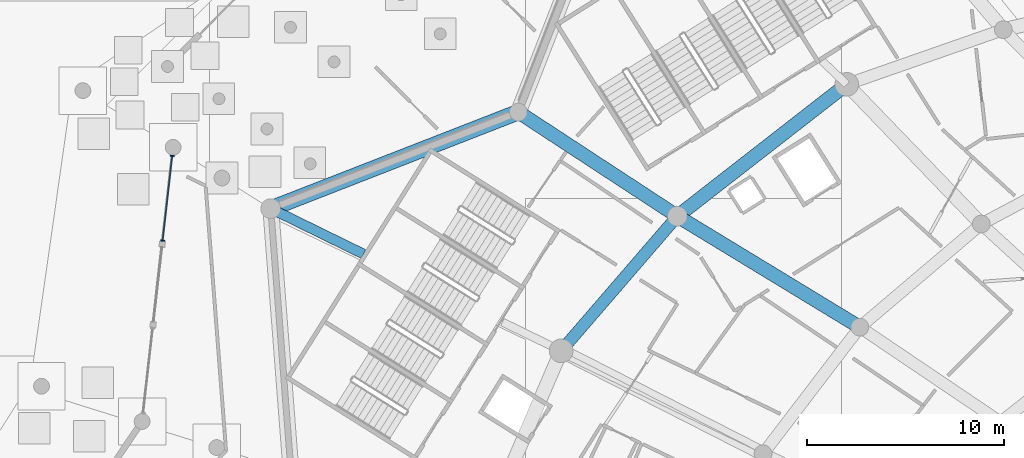
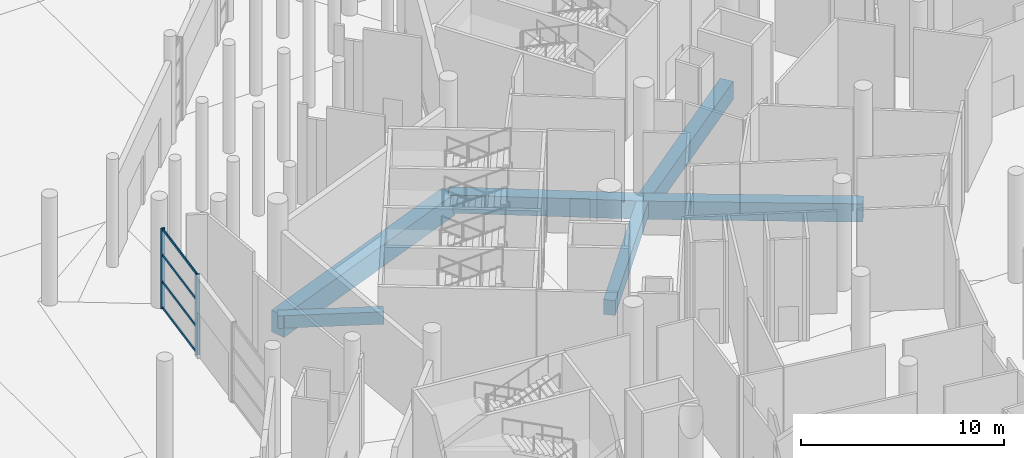
# One storey, part 49 of 255: 6 beams, 6 members, 1 element without a shape of its own.
"""IFC4 building model written with IfcOpenShell, lengths in metres."""

from ifc_helpers import new_model, si_unit, direction, frame, origin, origin_2d, place, context, subcontext, project, spatial, rectangle, extrude, material, layer, layer_set, material_profile, profile_set, type_object, element, aggregate, save


model = new_model("IFC4")

# Units and contexts
model_context = context("Model", 3, precision=1e-05, world=origin(), true_north=direction((0.0, 1.0)))
body_context = subcontext(model_context, "Body", "Model", "MODEL_VIEW")
ifc_project = project(units=[si_unit("LENGTHUNIT", "METRE"), si_unit("AREAUNIT", "SQUARE_METRE"), si_unit("VOLUMEUNIT", "CUBIC_METRE"), si_unit("PLANEANGLEUNIT", "RADIAN"), si_unit("MASSUNIT", "GRAM", prefix="KILO")], contexts=[model_context])

# Site, building, storey
site_placement = place(None, origin())
site = spatial("IfcSite", under=ifc_project, at=site_placement, CompositionType="ELEMENT")
building_placement = place(site_placement, origin())
building = spatial("IfcBuilding", under=site, at=building_placement, Name="Meseta Stadium", CompositionType="ELEMENT")
storey_placement = place(building_placement, origin())
storey = spatial("IfcBuildingStorey", under=building, at=storey_placement, Name="L00", CompositionType="ELEMENT", Elevation=0.0)

# Beams
ifc_material_1 = material(Name="Concrete C40/50", Category="concrete")
ifc_material_profile_1 = material_profile(ifc_material_1, rectangle(XDim=0.5, YDim=0.75, at=origin_2d()), Name="RC 500x750")
ifc_profile_set_1 = profile_set([ifc_material_profile_1], Name="Concrete C40/50")
beam_type_1 = type_object("IfcBeamType", Name="RC beam 500x750", PredefinedType="BEAM", material=ifc_profile_set_1)
beam_1_placement = place(storey_placement, frame((-88.212158203125, 77.175048828125, -0.77490234375), z_axis=(-0.898112763243, 0.439765237939, 0.0), x_axis=(-0.439765237939, -0.898112763243, 0.0)))
element("IfcBeam", 1, at=beam_1_placement, inside=storey, type_object=beam_type_1, Name="L00 radial beam frame 26 line P to R", PredefinedType="BEAM", context=body_context, shape_type="SweptSolid", body=[
    extrude(rectangle(XDim=0.5, YDim=0.75, at=origin_2d()), origin(), (0.0, 0.0, 1.0), 5.22900390625),
])
ifc_material_2 = material(Name="Concrete C40/50", Category="concrete")
ifc_material_profile_2 = material_profile(ifc_material_2, rectangle(XDim=0.60009765625, YDim=0.89990234375, at=origin_2d()), Name="RC 600x900")
ifc_profile_set_2 = profile_set([ifc_material_profile_2], Name="Concrete C40/50")
beam_type_2 = type_object("IfcBeamType", Name="RC beam 600x900", PredefinedType="BEAM", material=ifc_profile_set_2)
beam_2_placement = place(storey_placement, frame((-72.31201171875, 79.091064453125, -0.85009765625), z_axis=(-0.653414508663, -0.757000316954, 0.0), x_axis=(0.757000316954, -0.653414508663, 0.0)))
element("IfcBeam", 2, at=beam_2_placement, inside=storey, type_object=beam_type_2, Name="L00 ring beam frame 25 line P", PredefinedType="BEAM", context=body_context, shape_type="SweptSolid", body=[
    extrude(rectangle(XDim=0.60009765625, YDim=0.89990234375, at=origin_2d()), origin(), (0.0, 0.0, 1.0), 9.008056640625),
])
ifc_material_3 = material(Name="Concrete C40/50", Category="concrete")
ifc_material_profile_3 = material_profile(ifc_material_3, rectangle(XDim=0.699951171875, YDim=1.10009765625, at=origin_2d()), Name="RC 700x1100")
ifc_profile_set_3 = profile_set([ifc_material_profile_3], Name="Concrete C40/50")
beam_type_3 = type_object("IfcBeamType", Name="RC beam 700x1100", PredefinedType="BEAM", material=ifc_profile_set_3)
beam_3_placement = place(storey_placement, frame((-63.731201171875, 85.77099609375, -0.949951171875), z_axis=(-0.789086185012, -0.614282502293, 0.0), x_axis=(0.614282502293, -0.789086185012, 0.0)))
element("IfcBeam", 3, at=beam_3_placement, inside=storey, type_object=beam_type_3, Name="L00 ring beam frame 24 line P", PredefinedType="BEAM", context=body_context, shape_type="SweptSolid", body=[
    extrude(rectangle(XDim=0.699951171875, YDim=1.10009765625, at=origin_2d()), origin(), (0.0, 0.0, 1.0), 10.874267578125),
])
beam_4_placement = place(storey_placement, frame((-63.068115234375, 73.469970703125, -0.949951171875), z_axis=(-0.854429426189, 0.519567469788, 0.0), x_axis=(-0.519567469788, -0.854429426189, 0.0)))
element("IfcBeam", 4, at=beam_4_placement, inside=storey, type_object=beam_type_3, Name="L00 radial beam frame 25 line E to P", PredefinedType="BEAM", context=body_context, shape_type="SweptSolid", body=[
    extrude(rectangle(XDim=0.699951171875, YDim=1.10009765625, at=origin_2d()), origin(), (0.0, 0.0, 1.0), 10.81884765625),
])
beam_5_placement = place(storey_placement, frame((-72.31201171875, 79.091064453125, -0.949951171875), z_axis=(-0.836556122728, 0.547881240349, 0.0), x_axis=(-0.547881240349, -0.836556122728, 0.0)))
element("IfcBeam", 5, at=beam_5_placement, inside=storey, type_object=beam_type_3, Name="L00 radial beam frame 25 line P to R", PredefinedType="BEAM", context=body_context, shape_type="SweptSolid", body=[
    extrude(rectangle(XDim=0.699951171875, YDim=1.10009765625, at=origin_2d()), origin(), (0.0, 0.0, 1.0), 9.626953125),
])
ifc_material_4 = material(Name="Concrete C40/50", Category="concrete")
ifc_material_profile_4 = material_profile(ifc_material_4, rectangle(XDim=0.800048828125, YDim=1.300048828125, at=origin_2d()), Name="RC 800x1300")
ifc_profile_set_4 = profile_set([ifc_material_profile_4], Name="Concrete C40/50")
beam_type_4 = type_object("IfcBeamType", Name="RC beam 800x1300", PredefinedType="BEAM", material=ifc_profile_set_4)
beam_6_placement = place(storey_placement, frame((-80.365478515625, 84.365478515625, -1.050048828125), z_axis=(-0.93167689837, -0.363287980868, 0.0), x_axis=(0.363287980868, -0.93167689837, 0.0)))
element("IfcBeam", 6, at=beam_6_placement, inside=storey, type_object=beam_type_4, Name="L00 ring beam frame 25 line R", PredefinedType="BEAM", context=body_context, shape_type="SweptSolid", body=[
    extrude(rectangle(XDim=0.800048828125, YDim=1.300048828125, at=origin_2d()), origin(), (0.0, 0.0, 1.0), 13.462890625),
])

# Curtain wall, members
ifc_material_5 = material(Name="Aluminium", Category="aluminium")
ifc_layer = layer(ifc_material_5, 0.199951171875)
ifc_layer_set = layer_set([ifc_layer], Name="Ring shopfront curtain wall")
curtain_wall_type = type_object("IfcCurtainWallType", Name="Ring shopfront curtain wall", PredefinedType="NOTDEFINED", material=ifc_layer_set)
curtain_wall_placement = place(storey_placement, origin())
curtain_wall = element("IfcCurtainWall", 7, at=curtain_wall_placement, inside=storey, type_object=curtain_wall_type, Name="Shopfront glazing F26a", PredefinedType="NOTDEFINED")
ifc_material_6 = material(Name="Aluminium", Category="aluminium")
ifc_material_profile_5 = material_profile(ifc_material_6, rectangle(XDim=0.199951171875, YDim=0.06005859375, at=origin_2d()), Name="CW 200x60")
ifc_profile_set_5 = profile_set([ifc_material_profile_5], Name="Aluminium")
member_type_1 = type_object("IfcMemberType", Name="Ring CW mullion 60x200", PredefinedType="MULLION", material=ifc_profile_set_5)
member_1_placement = place(storey_placement, frame((-97.900390625, 82.1533203125, 0.0), z_axis=(0.0, 0.0, 1.0), x_axis=(0.993654842707, -0.112472456913, 0.0)))
member_1 = element("IfcMember", 8, at=member_1_placement, type_object=member_type_1, Name="CWR1 mullion 1", PredefinedType="MULLION", context=body_context, shape_type="SweptSolid", body=[
    extrude(rectangle(XDim=0.199951171875, YDim=0.06005859375, at=origin_2d()), origin(), (0.0, 0.0, 1.0), 4.85009765625),
])
member_2_placement = place(storey_placement, frame((-98.386962890625, 77.85302734375, 0.0), z_axis=(0.0, 0.0, 1.0), x_axis=(0.993654842707, -0.112472456913, 0.0)))
member_2 = element("IfcMember", 9, at=member_2_placement, type_object=member_type_1, Name="CWR1 mullion 2", PredefinedType="MULLION", context=body_context, shape_type="SweptSolid", body=[
    extrude(rectangle(XDim=0.199951171875, YDim=0.06005859375, at=origin_2d()), origin(), (0.0, 0.0, 1.0), 4.85009765625),
])
ifc_material_7 = material(Name="Aluminium", Category="aluminium")
ifc_material_profile_6 = material_profile(ifc_material_7, rectangle(XDim=0.06005859375, YDim=0.14990234375, at=origin_2d()), Name="CW 60x150")
ifc_profile_set_6 = profile_set([ifc_material_profile_6], Name="Aluminium")
member_type_2 = type_object("IfcMemberType", Name="Ring CW transom 60x150", PredefinedType="USERDEFINED", material=ifc_profile_set_6)
member_3_placement = place(storey_placement, frame((-97.903564453125, 82.12353515625, 0.074951171875), z_axis=(-0.112465570135, -0.993655622202, 0.0), x_axis=(0.993655622202, -0.112465570135, 0.0)))
member_3 = element("IfcMember", 10, at=member_3_placement, type_object=member_type_2, Name="CWR1 transom 1.1", ObjectType="TRANSOM", PredefinedType="USERDEFINED", context=body_context, shape_type="SweptSolid", body=[
    extrude(rectangle(XDim=0.06005859375, YDim=0.14990234375, at=origin_2d()), origin(), (0.0, 0.0, 1.0), 4.267822265625),
])
member_4_placement = place(storey_placement, frame((-97.903564453125, 82.12353515625, 1.61669921875), z_axis=(-0.112465570135, -0.993655622202, 0.0), x_axis=(0.993655622202, -0.112465570135, 0.0)))
member_4 = element("IfcMember", 11, at=member_4_placement, type_object=member_type_2, Name="CWR1 transom 1.2", ObjectType="TRANSOM", PredefinedType="USERDEFINED", context=body_context, shape_type="SweptSolid", body=[
    extrude(rectangle(XDim=0.06005859375, YDim=0.14990234375, at=origin_2d()), origin(), (0.0, 0.0, 1.0), 4.267822265625),
])
member_5_placement = place(storey_placement, frame((-97.903564453125, 82.12353515625, 3.2333984375), z_axis=(-0.112465570135, -0.993655622202, 0.0), x_axis=(0.993655622202, -0.112465570135, 0.0)))
member_5 = element("IfcMember", 12, at=member_5_placement, type_object=member_type_2, Name="CWR1 transom 1.3", ObjectType="TRANSOM", PredefinedType="USERDEFINED", context=body_context, shape_type="SweptSolid", body=[
    extrude(rectangle(XDim=0.06005859375, YDim=0.14990234375, at=origin_2d()), origin(), (0.0, 0.0, 1.0), 4.267822265625),
])
member_6_placement = place(storey_placement, frame((-97.903564453125, 82.12353515625, 4.77490234375), z_axis=(-0.112465570135, -0.993655622202, 0.0), x_axis=(0.993655622202, -0.112465570135, 0.0)))
member_6 = element("IfcMember", 13, at=member_6_placement, type_object=member_type_2, Name="CWR1 transom 1.4", ObjectType="TRANSOM", PredefinedType="USERDEFINED", context=body_context, shape_type="SweptSolid", body=[
    extrude(rectangle(XDim=0.06005859375, YDim=0.14990234375, at=origin_2d()), origin(), (0.0, 0.0, 1.0), 4.267822265625),
])
aggregate(curtain_wall, [member_1, member_2, member_3, member_4, member_5, member_6])

save(model, "model.ifc")
